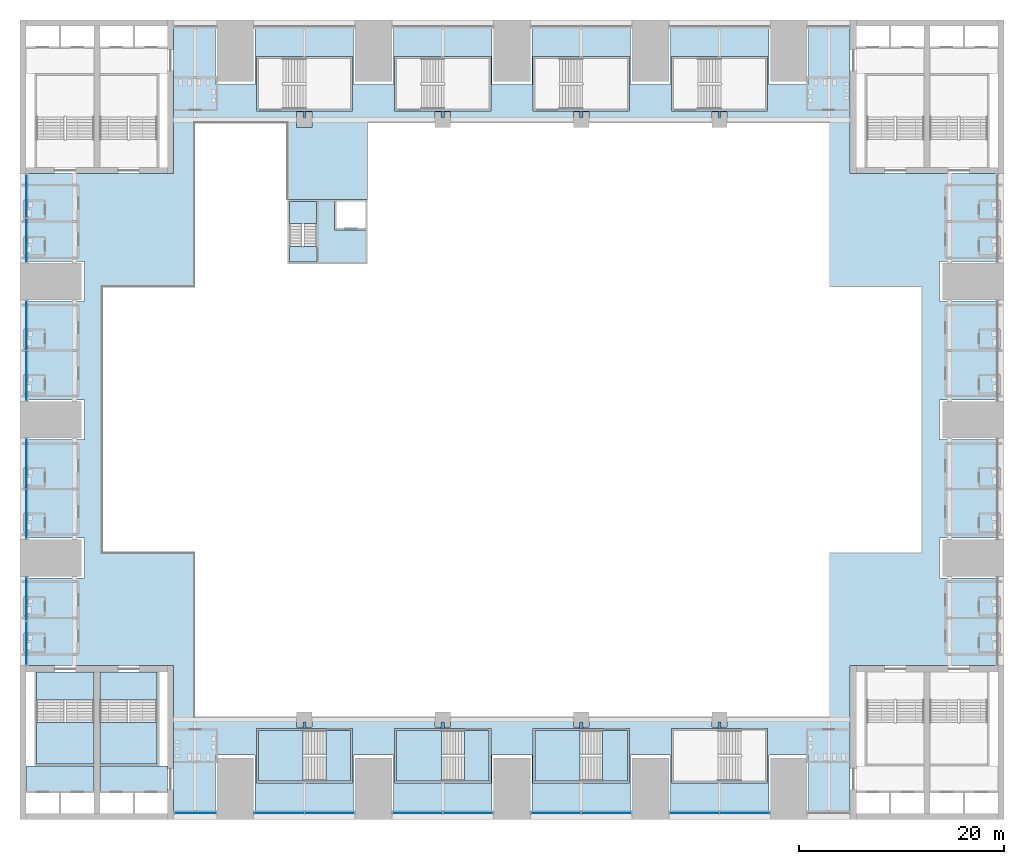
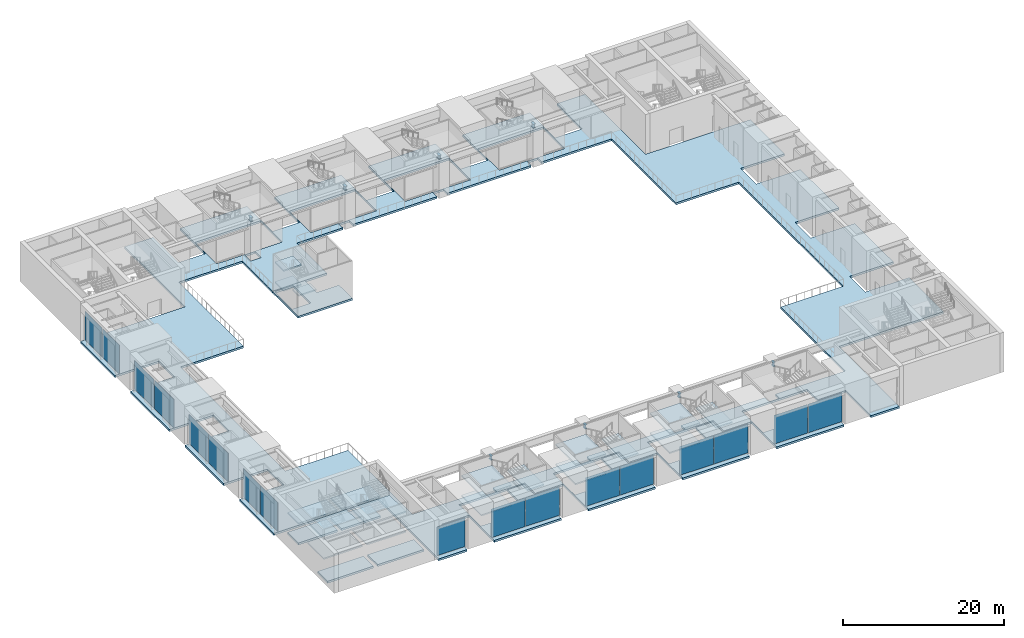
# One storey, part 10 of 43: 27 slabs, 17 plates, 8 beams, 15 elements without a shape of their own.
"""IFC4 building model written with IfcOpenShell, lengths in metres."""

from ifc_helpers import new_model, si_unit, direction, frame, origin, origin_2d, place, context, subcontext, project, spatial, polyline, rectangle, i_section, outline, extrude, material, layer, layer_set, material_profile, profile_set, type_object, element, aggregate, save


model = new_model("IFC4")

# Units and contexts
model_context = context("Model", 3, precision=1e-05, world=origin(), true_north=direction((0.0, 1.0)))
body_context = subcontext(model_context, "Body", "Model", "MODEL_VIEW")
ifc_project = project(units=[si_unit("LENGTHUNIT", "METRE"), si_unit("AREAUNIT", "SQUARE_METRE"), si_unit("VOLUMEUNIT", "CUBIC_METRE"), si_unit("PLANEANGLEUNIT", "RADIAN"), si_unit("MASSUNIT", "GRAM", prefix="KILO")], contexts=[model_context])

# Site, building, storey
site_placement = place(None, origin())
site = spatial("IfcSite", under=ifc_project, at=site_placement, CompositionType="ELEMENT")
building_placement = place(site_placement, origin())
building = spatial("IfcBuilding", under=site, at=building_placement, Name="Corbelhall Arena Tower", CompositionType="ELEMENT")
storey_placement = place(building_placement, frame((0.0, 0.0, 25.0)))
storey = spatial("IfcBuildingStorey", under=building, at=storey_placement, Name="L03", CompositionType="ELEMENT", Elevation=25.0)

# Beams
ifc_material_1 = material(Name="Steel ASTM A992 Gr50", Category="steel")
ifc_material_profile = material_profile(ifc_material_1, i_section(OverallWidth=0.323974609375, OverallDepth=0.611083984375, WebThickness=0.0126953125, FlangeThickness=0.01904296875, at=origin_2d()))
ifc_profile_set = profile_set([ifc_material_profile], Name="Steel ASTM A992 Gr50")
beam_type = type_object("IfcBeamType", Name="PO-BEAM-W24X104", PredefinedType="BEAM", material=ifc_profile_set)
for number, where, z_axis, x_axis, name in (
    (1, (-20.25, 29.5, 5.39453125), (0.0, 1.0, 0.0), (-1.0, 0.0, 0.0), "CONCOURSE BEAM"),
    (2, (-6.75, 29.5, 5.39453125), (0.0, 1.0, 0.0), (-1.0, 0.0, 0.0), "CONCOURSE BEAM"),
    (3, (6.75, 29.5, 5.39453125), (0.0, 1.0, 0.0), (-1.0, 0.0, 0.0), "CONCOURSE BEAM"),
    (4, (20.25, 29.5, 5.39453125), (0.0, 1.0, 0.0), (-1.0, 0.0, 0.0), "CONCOURSE BEAM"),
    (5, (-20.25, -29.5, 5.39453125), (0.0, -1.0, 0.0), (1.0, 0.0, 0.0), "CONCOURSE BEAM"),
    (6, (-6.75, -29.5, 5.39453125), (0.0, -1.0, 0.0), (1.0, 0.0, 0.0), "CONCOURSE BEAM"),
    (7, (6.75, -29.5, 5.39453125), (0.0, -1.0, 0.0), (1.0, 0.0, 0.0), "CONCOURSE BEAM"),
    (8, (20.25, -29.5, 5.39453125), (0.0, -1.0, 0.0), (1.0, 0.0, 0.0), "CONCOURSE BEAM"),
):
    element("IfcBeam", number, at=place(storey_placement, frame(where, z_axis=z_axis, x_axis=x_axis)), inside=storey, type_object=beam_type, Name=name, PredefinedType="BEAM", context=body_context, shape_type="SweptSolid", body=[
        extrude(i_section(OverallWidth=0.323974609375, OverallDepth=0.611083984375, WebThickness=0.0126953125, FlangeThickness=0.01904296875, at=origin_2d()), origin(), (0.0, 0.0, 1.0), 0.60009765625),
    ])

# Stair, slabs
ifc_material_2 = material(Name="Reinforced concrete C40/50", Category="concrete")
stair_type_1 = type_object("IfcStairType", Name="AR-EXIT-STAIR", PredefinedType="HALF_TURN_STAIR", material=ifc_material_2)
stair_1_placement = place(storey_placement, origin())
stair_1 = element("IfcStair", 9, at=stair_1_placement, inside=storey, type_object=stair_type_1, Name="L03 exit stair AS13", PredefinedType="HALF_TURN_STAIR")
ifc_layer_1 = layer(ifc_material_2, 0.199951171875)
ifc_layer_set_1 = layer_set([ifc_layer_1], Name="AR-EXIT-LANDING")
slab_type_1 = type_object("IfcSlabType", Name="AR-EXIT-LANDING", PredefinedType="LANDING", material=ifc_layer_set_1)
slab_1_placement = place(storey_placement, frame((0.0, 0.0, 1.300048828125)))
slab_1 = element("IfcSlab", 10, at=slab_1_placement, type_object=slab_type_1, Name="AS13 landing 1", PredefinedType="LANDING", context=body_context, shape_type="SweptSolid", body=[
    extrude(outline(polyline([(-20.389892578125, -30.300048828125), (-24.75, -30.300048828125), (-24.75, -35.25), (-20.389892578125, -35.25), (-20.389892578125, -30.300048828125)])), origin(), (0.0, 0.0, 1.0), 0.199951171875),
])
slab_2_placement = place(storey_placement, frame((0.0, 0.0, 2.800048828125)))
slab_2 = element("IfcSlab", 11, at=slab_2_placement, type_object=slab_type_1, Name="AS13 landing 2", PredefinedType="LANDING", context=body_context, shape_type="SweptSolid", body=[
    extrude(outline(polyline([(-15.75, -30.300048828125), (-18.14990234375, -30.300048828125), (-18.14990234375, -35.25), (-15.75, -35.25), (-15.75, -30.300048828125)])), origin(), (0.0, 0.0, 1.0), 0.199951171875),
])
slab_3_placement = place(storey_placement, frame((0.0, 0.0, 4.300048828125)))
slab_3 = element("IfcSlab", 12, at=slab_3_placement, type_object=slab_type_1, Name="AS13 landing 3", PredefinedType="LANDING", context=body_context, shape_type="SweptSolid", body=[
    extrude(outline(polyline([(-20.389892578125, -30.300048828125), (-24.75, -30.300048828125), (-24.75, -35.25), (-20.389892578125, -35.25), (-20.389892578125, -30.300048828125)])), origin(), (0.0, 0.0, 1.0), 0.199951171875),
])
aggregate(stair_1, [slab_1, slab_2, slab_3])

stair_2_placement = place(storey_placement, origin())
stair_2 = element("IfcStair", 13, at=stair_2_placement, inside=storey, type_object=stair_type_1, Name="L03 exit stair AS14", PredefinedType="HALF_TURN_STAIR")
slab_4_placement = place(storey_placement, frame((0.0, 0.0, 1.300048828125)))
slab_4 = element("IfcSlab", 14, at=slab_4_placement, type_object=slab_type_1, Name="AS14 landing 1", PredefinedType="LANDING", context=body_context, shape_type="SweptSolid", body=[
    extrude(outline(polyline([(-6.889892578125, -30.300048828125), (-11.25, -30.300048828125), (-11.25, -35.25), (-6.889892578125, -35.25), (-6.889892578125, -30.300048828125)])), origin(), (0.0, 0.0, 1.0), 0.199951171875),
])
slab_5_placement = place(storey_placement, frame((0.0, 0.0, 2.800048828125)))
slab_5 = element("IfcSlab", 15, at=slab_5_placement, type_object=slab_type_1, Name="AS14 landing 2", PredefinedType="LANDING", context=body_context, shape_type="SweptSolid", body=[
    extrude(outline(polyline([(-2.25, -30.300048828125), (-4.64990234375, -30.300048828125), (-4.64990234375, -35.25), (-2.25, -35.25), (-2.25, -30.300048828125)])), origin(), (0.0, 0.0, 1.0), 0.199951171875),
])
slab_6_placement = place(storey_placement, frame((0.0, 0.0, 4.300048828125)))
slab_6 = element("IfcSlab", 16, at=slab_6_placement, type_object=slab_type_1, Name="AS14 landing 3", PredefinedType="LANDING", context=body_context, shape_type="SweptSolid", body=[
    extrude(outline(polyline([(-6.889892578125, -30.300048828125), (-11.25, -30.300048828125), (-11.25, -35.25), (-6.889892578125, -35.25), (-6.889892578125, -30.300048828125)])), origin(), (0.0, 0.0, 1.0), 0.199951171875),
])
aggregate(stair_2, [slab_4, slab_5, slab_6])

stair_3_placement = place(storey_placement, origin())
stair_3 = element("IfcStair", 17, at=stair_3_placement, inside=storey, type_object=stair_type_1, Name="L03 exit stair AS15", PredefinedType="HALF_TURN_STAIR")
slab_7_placement = place(storey_placement, frame((0.0, 0.0, 1.300048828125)))
slab_7 = element("IfcSlab", 18, at=slab_7_placement, type_object=slab_type_1, Name="AS15 landing 1", PredefinedType="LANDING", context=body_context, shape_type="SweptSolid", body=[
    extrude(outline(polyline([(6.610107421875, -30.300048828125), (2.25, -30.300048828125), (2.25, -35.25), (6.610107421875, -35.25), (6.610107421875, -30.300048828125)])), origin(), (0.0, 0.0, 1.0), 0.199951171875),
])
slab_8_placement = place(storey_placement, frame((0.0, 0.0, 2.800048828125)))
slab_8 = element("IfcSlab", 19, at=slab_8_placement, type_object=slab_type_1, Name="AS15 landing 2", PredefinedType="LANDING", context=body_context, shape_type="SweptSolid", body=[
    extrude(outline(polyline([(11.25, -30.300048828125), (8.85009765625, -30.300048828125), (8.85009765625, -35.25), (11.25, -35.25), (11.25, -30.300048828125)])), origin(), (0.0, 0.0, 1.0), 0.199951171875),
])
slab_9_placement = place(storey_placement, frame((0.0, 0.0, 4.300048828125)))
slab_9 = element("IfcSlab", 20, at=slab_9_placement, type_object=slab_type_1, Name="AS15 landing 3", PredefinedType="LANDING", context=body_context, shape_type="SweptSolid", body=[
    extrude(outline(polyline([(6.610107421875, -30.300048828125), (2.25, -30.300048828125), (2.25, -35.25), (6.610107421875, -35.25), (6.610107421875, -30.300048828125)])), origin(), (0.0, 0.0, 1.0), 0.199951171875),
])
aggregate(stair_3, [slab_7, slab_8, slab_9])

stair_4_placement = place(storey_placement, origin())
stair_4 = element("IfcStair", 21, at=stair_4_placement, inside=storey, type_object=stair_type_1, Name="L03 exit stair AS7", PredefinedType="HALF_TURN_STAIR")
slab_10_placement = place(storey_placement, frame((0.0, 0.0, 1.300048828125)))
slab_10 = element("IfcSlab", 22, at=slab_10_placement, type_object=slab_type_1, Name="AS7 landing 1", PredefinedType="LANDING", context=body_context, shape_type="SweptSolid", body=[
    extrude(outline(polyline([(-40.199951171875, -29.56005859375), (-40.199951171875, -33.60009765625), (-34.610107421875, -33.60009765625), (-34.610107421875, -29.56005859375), (-40.199951171875, -29.56005859375)])), origin(), (0.0, 0.0, 1.0), 0.199951171875),
])
slab_11_placement = place(storey_placement, frame((0.0, 0.0, 2.800048828125)))
slab_11 = element("IfcSlab", 23, at=slab_11_placement, type_object=slab_type_1, Name="AS7 landing 2", PredefinedType="LANDING", context=body_context, shape_type="SweptSolid", body=[
    extrude(outline(polyline([(-40.199951171875, -24.60009765625), (-40.199951171875, -27.320068359375), (-34.610107421875, -27.320068359375), (-34.610107421875, -24.60009765625), (-40.199951171875, -24.60009765625)])), origin(), (0.0, 0.0, 1.0), 0.199951171875),
])
slab_12_placement = place(storey_placement, frame((0.0, 0.0, 4.300048828125)))
slab_12 = element("IfcSlab", 24, at=slab_12_placement, type_object=slab_type_1, Name="AS7 landing 3", PredefinedType="LANDING", context=body_context, shape_type="SweptSolid", body=[
    extrude(outline(polyline([(-40.199951171875, -29.56005859375), (-40.199951171875, -33.60009765625), (-34.610107421875, -33.60009765625), (-34.610107421875, -29.56005859375), (-40.199951171875, -29.56005859375)])), origin(), (0.0, 0.0, 1.0), 0.199951171875),
])
aggregate(stair_4, [slab_10, slab_11, slab_12])

stair_5_placement = place(storey_placement, origin())
stair_5 = element("IfcStair", 25, at=stair_5_placement, inside=storey, type_object=stair_type_1, Name="L03 exit stair AS8", PredefinedType="HALF_TURN_STAIR")
slab_13_placement = place(storey_placement, frame((0.0, 0.0, 1.300048828125)))
slab_13 = element("IfcSlab", 26, at=slab_13_placement, type_object=slab_type_1, Name="AS8 landing 1", PredefinedType="LANDING", context=body_context, shape_type="SweptSolid", body=[
    extrude(outline(polyline([(-46.389892578125, -29.56005859375), (-46.389892578125, -33.60009765625), (-40.800048828125, -33.60009765625), (-40.800048828125, -29.56005859375), (-46.389892578125, -29.56005859375)])), origin(), (0.0, 0.0, 1.0), 0.199951171875),
])
slab_14_placement = place(storey_placement, frame((0.0, 0.0, 2.800048828125)))
slab_14 = element("IfcSlab", 27, at=slab_14_placement, type_object=slab_type_1, Name="AS8 landing 2", PredefinedType="LANDING", context=body_context, shape_type="SweptSolid", body=[
    extrude(outline(polyline([(-46.389892578125, -24.60009765625), (-46.389892578125, -27.320068359375), (-40.800048828125, -27.320068359375), (-40.800048828125, -24.60009765625), (-46.389892578125, -24.60009765625)])), origin(), (0.0, 0.0, 1.0), 0.199951171875),
])
slab_15_placement = place(storey_placement, frame((0.0, 0.0, 4.300048828125)))
slab_15 = element("IfcSlab", 28, at=slab_15_placement, type_object=slab_type_1, Name="AS8 landing 3", PredefinedType="LANDING", context=body_context, shape_type="SweptSolid", body=[
    extrude(outline(polyline([(-46.389892578125, -29.56005859375), (-46.389892578125, -33.60009765625), (-40.800048828125, -33.60009765625), (-40.800048828125, -29.56005859375), (-46.389892578125, -29.56005859375)])), origin(), (0.0, 0.0, 1.0), 0.199951171875),
])
aggregate(stair_5, [slab_13, slab_14, slab_15])

# Slabs
ifc_layer_2 = layer(ifc_material_2, 0.300048828125)
ifc_layer_set_2 = layer_set([ifc_layer_2], Name="AR-STAIR-FLOOR")
slab_type_2 = type_object("IfcSlabType", Name="AR-STAIR-FLOOR", PredefinedType="FLOOR", material=ifc_layer_set_2)
slab_16_placement = place(storey_placement, frame((0.0, 0.0, -0.300048828125)))
element("IfcSlab", 29, at=slab_16_placement, inside=storey, type_object=slab_type_2, Name="Stair AS13 floor", PredefinedType="FLOOR", context=body_context, shape_type="SweptSolid", body=[
    extrude(outline(polyline([(-15.75, -30.300048828125), (-15.75, -35.25), (-18.153076171875, -35.25), (-18.153076171875, -30.300048828125), (-15.75, -30.300048828125)])), origin(), (0.0, 0.0, 1.0), 0.300048828125),
])
slab_17_placement = place(storey_placement, frame((0.0, 0.0, -0.300048828125)))
element("IfcSlab", 30, at=slab_17_placement, inside=storey, type_object=slab_type_2, Name="Stair AS14 floor", PredefinedType="FLOOR", context=body_context, shape_type="SweptSolid", body=[
    extrude(outline(polyline([(-2.25, -30.300048828125), (-2.25, -35.25), (-4.653076171875, -35.25), (-4.653076171875, -30.300048828125), (-2.25, -30.300048828125)])), origin(), (0.0, 0.0, 1.0), 0.300048828125),
])
slab_18_placement = place(storey_placement, frame((0.0, 0.0, -0.300048828125)))
element("IfcSlab", 31, at=slab_18_placement, inside=storey, type_object=slab_type_2, Name="Stair AS15 floor", PredefinedType="FLOOR", context=body_context, shape_type="SweptSolid", body=[
    extrude(outline(polyline([(11.25, -30.300048828125), (11.25, -35.25), (8.846923828125, -35.25), (8.846923828125, -30.300048828125), (11.25, -30.300048828125)])), origin(), (0.0, 0.0, 1.0), 0.300048828125),
])
slab_19_placement = place(storey_placement, frame((0.0, 0.0, -0.300048828125)))
element("IfcSlab", 32, at=slab_19_placement, inside=storey, type_object=slab_type_2, Name="Stair AS7 floor", PredefinedType="FLOOR", context=body_context, shape_type="SweptSolid", body=[
    extrude(outline(polyline([(-40.199951171875, -24.60009765625), (-34.610107421875, -24.60009765625), (-34.610107421875, -27.322998046875), (-40.199951171875, -27.322998046875), (-40.199951171875, -24.60009765625)])), origin(), (0.0, 0.0, 1.0), 0.300048828125),
])
slab_20_placement = place(storey_placement, frame((0.0, 0.0, -0.300048828125)))
element("IfcSlab", 33, at=slab_20_placement, inside=storey, type_object=slab_type_2, Name="Stair AS8 floor", PredefinedType="FLOOR", context=body_context, shape_type="SweptSolid", body=[
    extrude(outline(polyline([(-46.389892578125, -24.60009765625), (-40.800048828125, -24.60009765625), (-40.800048828125, -27.322998046875), (-46.389892578125, -27.322998046875), (-46.389892578125, -24.60009765625)])), origin(), (0.0, 0.0, 1.0), 0.300048828125),
])
slab_21_placement = place(storey_placement, frame((0.0, 0.0, -0.300048828125)))
element("IfcSlab", 34, at=slab_21_placement, inside=storey, type_object=slab_type_2, Name="Lift lobby floor SW", PredefinedType="FLOOR", context=body_context, shape_type="SweptSolid", body=[
    extrude(outline(polyline([(-40.800048828125, -36.300048828125), (-40.800048828125, -33.800048828125), (-47.39990234375, -33.800048828125), (-47.39990234375, -36.300048828125), (-40.800048828125, -36.300048828125)])), origin(), (0.0, 0.0, 1.0), 0.300048828125),
])
slab_22_placement = place(storey_placement, frame((0.0, 0.0, -0.300048828125)))
element("IfcSlab", 35, at=slab_22_placement, inside=storey, type_object=slab_type_2, Name="Lift lobby floor SW", PredefinedType="FLOOR", context=body_context, shape_type="SweptSolid", body=[
    extrude(outline(polyline([(-33.60009765625, -36.300048828125), (-33.60009765625, -33.800048828125), (-40.199951171875, -33.800048828125), (-40.199951171875, -36.300048828125), (-33.60009765625, -36.300048828125)])), origin(), (0.0, 0.0, 1.0), 0.300048828125),
])

# Curtain wall, plate
ifc_material_3 = material(Name="Aluminium black anodised", Category="aluminium")
ifc_layer_3 = layer(ifc_material_3, 0.239990234375)
ifc_layer_set_3 = layer_set([ifc_layer_3], Name="EV-CW4 Arena concourse glazing")
curtain_wall_type = type_object("IfcCurtainWallType", Name="EV-CW4 Arena concourse glazing", PredefinedType="NOTDEFINED", material=ifc_layer_set_3)
curtain_wall_1_placement = place(storey_placement, origin())
curtain_wall_1 = element("IfcCurtainWall", 36, at=curtain_wall_1_placement, inside=storey, type_object=curtain_wall_type, Name="Curtain wall CW4A", PredefinedType="NOTDEFINED")
ifc_material_4 = material(Name="Glass dark tinted laminated", Category="glass")
ifc_layer_4 = layer(ifc_material_4, 0.028076171875)
ifc_layer_set_4 = layer_set([ifc_layer_4], Name="EV-CW4-PANEL")
plate_type = type_object("IfcPlateType", Name="EV-CW4-PANEL", PredefinedType="CURTAIN_PANEL", material=ifc_layer_set_4)
plate_1_placement = place(storey_placement, frame((-30.89990234375, -38.3798828125, 0.074951171875), z_axis=(0.0, 0.0, 1.0), x_axis=(1.0, 0.0, 0.0)))
plate_1 = element("IfcPlate", 37, at=plate_1_placement, type_object=plate_type, Name="CW4A panel 1.1", PredefinedType="CURTAIN_PANEL", context=body_context, shape_type="SweptSolid", body=[
    extrude(rectangle(XDim=4.050048828125, YDim=0.028076171875, at=origin_2d()), origin(), (0.0, 0.0, 1.0), 4.35009765625),
])
aggregate(curtain_wall_1, [plate_1])

# Curtain wall, plates
curtain_wall_2_placement = place(storey_placement, origin())
curtain_wall_2 = element("IfcCurtainWall", 38, at=curtain_wall_2_placement, inside=storey, type_object=curtain_wall_type, Name="Curtain wall CW4", PredefinedType="NOTDEFINED")
plate_2_placement = place(storey_placement, frame((-22.706298828125, -38.3798828125, 0.074951171875), z_axis=(0.0, 0.0, 1.0), x_axis=(1.0, 0.0, 0.0)))
plate_2 = element("IfcPlate", 39, at=plate_2_placement, type_object=plate_type, Name="CW4 panel 1.1", PredefinedType="CURTAIN_PANEL", context=body_context, shape_type="SweptSolid", body=[
    extrude(rectangle(XDim=4.83740234375, YDim=0.028076171875, at=origin_2d()), origin(), (0.0, 0.0, 1.0), 4.35009765625),
])
plate_3_placement = place(storey_placement, frame((-17.793701171875, -38.3798828125, 0.074951171875), z_axis=(0.0, 0.0, 1.0), x_axis=(1.0, 0.0, 0.0)))
plate_3 = element("IfcPlate", 40, at=plate_3_placement, type_object=plate_type, Name="CW4 panel 2.1", PredefinedType="CURTAIN_PANEL", context=body_context, shape_type="SweptSolid", body=[
    extrude(rectangle(XDim=4.83740234375, YDim=0.028076171875, at=origin_2d()), origin(), (0.0, 0.0, 1.0), 4.35009765625),
])
aggregate(curtain_wall_2, [plate_2, plate_3])

curtain_wall_3_placement = place(storey_placement, origin())
curtain_wall_3 = element("IfcCurtainWall", 41, at=curtain_wall_3_placement, inside=storey, type_object=curtain_wall_type, Name="Curtain wall CW4", PredefinedType="NOTDEFINED")
plate_4_placement = place(storey_placement, frame((-9.206298828125, -38.3798828125, 0.074951171875), z_axis=(0.0, 0.0, 1.0), x_axis=(1.0, 0.0, 0.0)))
plate_4 = element("IfcPlate", 42, at=plate_4_placement, type_object=plate_type, Name="CW4 panel 1.1", PredefinedType="CURTAIN_PANEL", context=body_context, shape_type="SweptSolid", body=[
    extrude(rectangle(XDim=4.83740234375, YDim=0.028076171875, at=origin_2d()), origin(), (0.0, 0.0, 1.0), 4.35009765625),
])
plate_5_placement = place(storey_placement, frame((-4.293701171875, -38.3798828125, 0.074951171875), z_axis=(0.0, 0.0, 1.0), x_axis=(1.0, 0.0, 0.0)))
plate_5 = element("IfcPlate", 43, at=plate_5_placement, type_object=plate_type, Name="CW4 panel 2.1", PredefinedType="CURTAIN_PANEL", context=body_context, shape_type="SweptSolid", body=[
    extrude(rectangle(XDim=4.83740234375, YDim=0.028076171875, at=origin_2d()), origin(), (0.0, 0.0, 1.0), 4.35009765625),
])
aggregate(curtain_wall_3, [plate_4, plate_5])

curtain_wall_4_placement = place(storey_placement, origin())
curtain_wall_4 = element("IfcCurtainWall", 44, at=curtain_wall_4_placement, inside=storey, type_object=curtain_wall_type, Name="Curtain wall CW4", PredefinedType="NOTDEFINED")
plate_6_placement = place(storey_placement, frame((4.293701171875, -38.3798828125, 0.074951171875), z_axis=(0.0, 0.0, 1.0), x_axis=(1.0, 0.0, 0.0)))
plate_6 = element("IfcPlate", 45, at=plate_6_placement, type_object=plate_type, Name="CW4 panel 1.1", PredefinedType="CURTAIN_PANEL", context=body_context, shape_type="SweptSolid", body=[
    extrude(rectangle(XDim=4.83740234375, YDim=0.028076171875, at=origin_2d()), origin(), (0.0, 0.0, 1.0), 4.35009765625),
])
plate_7_placement = place(storey_placement, frame((9.206298828125, -38.3798828125, 0.074951171875), z_axis=(0.0, 0.0, 1.0), x_axis=(1.0, 0.0, 0.0)))
plate_7 = element("IfcPlate", 46, at=plate_7_placement, type_object=plate_type, Name="CW4 panel 2.1", PredefinedType="CURTAIN_PANEL", context=body_context, shape_type="SweptSolid", body=[
    extrude(rectangle(XDim=4.83740234375, YDim=0.028076171875, at=origin_2d()), origin(), (0.0, 0.0, 1.0), 4.35009765625),
])
aggregate(curtain_wall_4, [plate_6, plate_7])

curtain_wall_5_placement = place(storey_placement, origin())
curtain_wall_5 = element("IfcCurtainWall", 47, at=curtain_wall_5_placement, inside=storey, type_object=curtain_wall_type, Name="Curtain wall CW4", PredefinedType="NOTDEFINED")
plate_8_placement = place(storey_placement, frame((17.793701171875, -38.3798828125, 0.074951171875), z_axis=(0.0, 0.0, 1.0), x_axis=(1.0, 0.0, 0.0)))
plate_8 = element("IfcPlate", 48, at=plate_8_placement, type_object=plate_type, Name="CW4 panel 1.1", PredefinedType="CURTAIN_PANEL", context=body_context, shape_type="SweptSolid", body=[
    extrude(rectangle(XDim=4.83740234375, YDim=0.028076171875, at=origin_2d()), origin(), (0.0, 0.0, 1.0), 4.35009765625),
])
plate_9_placement = place(storey_placement, frame((22.706298828125, -38.3798828125, 0.074951171875), z_axis=(0.0, 0.0, 1.0), x_axis=(1.0, 0.0, 0.0)))
plate_9 = element("IfcPlate", 49, at=plate_9_placement, type_object=plate_type, Name="CW4 panel 2.1", PredefinedType="CURTAIN_PANEL", context=body_context, shape_type="SweptSolid", body=[
    extrude(rectangle(XDim=4.83740234375, YDim=0.028076171875, at=origin_2d()), origin(), (0.0, 0.0, 1.0), 4.35009765625),
])
aggregate(curtain_wall_5, [plate_8, plate_9])

curtain_wall_6_placement = place(storey_placement, origin())
curtain_wall_6 = element("IfcCurtainWall", 50, at=curtain_wall_6_placement, inside=storey, type_object=curtain_wall_type, Name="Curtain wall CW4B", PredefinedType="NOTDEFINED")
plate_10_placement = place(storey_placement, frame((-47.3798828125, 21.80615234375, 0.074951171875), z_axis=(0.0, 0.0, 1.0), x_axis=(0.0, -1.0, 0.0)))
plate_10 = element("IfcPlate", 51, at=plate_10_placement, type_object=plate_type, Name="CW4B panel 1.1", PredefinedType="CURTAIN_PANEL", context=body_context, shape_type="SweptSolid", body=[
    extrude(rectangle(XDim=4.237548828125, YDim=0.028076171875, at=origin_2d()), origin(), (0.0, 0.0, 1.0), 4.35009765625),
])
plate_11_placement = place(storey_placement, frame((-47.3798828125, 17.49365234375, 0.074951171875), z_axis=(0.0, 0.0, 1.0), x_axis=(0.0, -1.0, 0.0)))
plate_11 = element("IfcPlate", 52, at=plate_11_placement, type_object=plate_type, Name="CW4B panel 2.1", PredefinedType="CURTAIN_PANEL", context=body_context, shape_type="SweptSolid", body=[
    extrude(rectangle(XDim=4.237548828125, YDim=0.028076171875, at=origin_2d()), origin(), (0.0, 0.0, 1.0), 4.35009765625),
])
aggregate(curtain_wall_6, [plate_10, plate_11])

curtain_wall_7_placement = place(storey_placement, origin())
curtain_wall_7 = element("IfcCurtainWall", 53, at=curtain_wall_7_placement, inside=storey, type_object=curtain_wall_type, Name="Curtain wall CW4", PredefinedType="NOTDEFINED")
plate_12_placement = place(storey_placement, frame((-47.3798828125, 9.206298828125, 0.074951171875), z_axis=(0.0, 0.0, 1.0), x_axis=(0.0, -1.0, 0.0)))
plate_12 = element("IfcPlate", 54, at=plate_12_placement, type_object=plate_type, Name="CW4 panel 1.1", PredefinedType="CURTAIN_PANEL", context=body_context, shape_type="SweptSolid", body=[
    extrude(rectangle(XDim=4.83740234375, YDim=0.028076171875, at=origin_2d()), origin(), (0.0, 0.0, 1.0), 4.35009765625),
])
plate_13_placement = place(storey_placement, frame((-47.3798828125, 4.293701171875, 0.074951171875), z_axis=(0.0, 0.0, 1.0), x_axis=(0.0, -1.0, 0.0)))
plate_13 = element("IfcPlate", 55, at=plate_13_placement, type_object=plate_type, Name="CW4 panel 2.1", PredefinedType="CURTAIN_PANEL", context=body_context, shape_type="SweptSolid", body=[
    extrude(rectangle(XDim=4.83740234375, YDim=0.028076171875, at=origin_2d()), origin(), (0.0, 0.0, 1.0), 4.35009765625),
])
aggregate(curtain_wall_7, [plate_12, plate_13])

curtain_wall_8_placement = place(storey_placement, origin())
curtain_wall_8 = element("IfcCurtainWall", 56, at=curtain_wall_8_placement, inside=storey, type_object=curtain_wall_type, Name="Curtain wall CW4", PredefinedType="NOTDEFINED")
plate_14_placement = place(storey_placement, frame((-47.3798828125, -4.293701171875, 0.074951171875), z_axis=(0.0, 0.0, 1.0), x_axis=(0.0, -1.0, 0.0)))
plate_14 = element("IfcPlate", 57, at=plate_14_placement, type_object=plate_type, Name="CW4 panel 1.1", PredefinedType="CURTAIN_PANEL", context=body_context, shape_type="SweptSolid", body=[
    extrude(rectangle(XDim=4.83740234375, YDim=0.028076171875, at=origin_2d()), origin(), (0.0, 0.0, 1.0), 4.35009765625),
])
plate_15_placement = place(storey_placement, frame((-47.3798828125, -9.206298828125, 0.074951171875), z_axis=(0.0, 0.0, 1.0), x_axis=(0.0, -1.0, 0.0)))
plate_15 = element("IfcPlate", 58, at=plate_15_placement, type_object=plate_type, Name="CW4 panel 2.1", PredefinedType="CURTAIN_PANEL", context=body_context, shape_type="SweptSolid", body=[
    extrude(rectangle(XDim=4.83740234375, YDim=0.028076171875, at=origin_2d()), origin(), (0.0, 0.0, 1.0), 4.35009765625),
])
aggregate(curtain_wall_8, [plate_14, plate_15])

curtain_wall_9_placement = place(storey_placement, origin())
curtain_wall_9 = element("IfcCurtainWall", 59, at=curtain_wall_9_placement, inside=storey, type_object=curtain_wall_type, Name="Curtain wall CW4B", PredefinedType="NOTDEFINED")
plate_16_placement = place(storey_placement, frame((-47.3798828125, -17.49365234375, 0.074951171875), z_axis=(0.0, 0.0, 1.0), x_axis=(0.0, -1.0, 0.0)))
plate_16 = element("IfcPlate", 60, at=plate_16_placement, type_object=plate_type, Name="CW4B panel 1.1", PredefinedType="CURTAIN_PANEL", context=body_context, shape_type="SweptSolid", body=[
    extrude(rectangle(XDim=4.237548828125, YDim=0.028076171875, at=origin_2d()), origin(), (0.0, 0.0, 1.0), 4.35009765625),
])
plate_17_placement = place(storey_placement, frame((-47.3798828125, -21.80615234375, 0.074951171875), z_axis=(0.0, 0.0, 1.0), x_axis=(0.0, -1.0, 0.0)))
plate_17 = element("IfcPlate", 61, at=plate_17_placement, type_object=plate_type, Name="CW4B panel 2.1", PredefinedType="CURTAIN_PANEL", context=body_context, shape_type="SweptSolid", body=[
    extrude(rectangle(XDim=4.237548828125, YDim=0.028076171875, at=origin_2d()), origin(), (0.0, 0.0, 1.0), 4.35009765625),
])
aggregate(curtain_wall_9, [plate_16, plate_17])

# Slab
ifc_material_5 = material(Name="Concrete C40/50", Category="concrete")
ifc_layer_5 = layer(ifc_material_5, 0.300048828125)
ifc_layer_set_5 = layer_set([ifc_layer_5], Name="IN-SL-EAR")
slab_type_3 = type_object("IfcSlabType", Name="IN-SL-EAR", PredefinedType="FLOOR", material=ifc_layer_set_5)
slab_23_placement = place(storey_placement, frame((0.0, 0.0, -0.300048828125)))
element("IfcSlab", 62, at=slab_23_placement, inside=storey, type_object=slab_type_3, Name="Fire service turret floor", PredefinedType="FLOOR", context=body_context, shape_type="SweptSolid", body=[
    extrude(outline(polyline([(-21.89990234375, 15.199951171875), (-14.10009765625, 15.199951171875), (-14.10009765625, 18.5), (-17.300048828125, 18.5), (-17.300048828125, 21.5), (-21.89990234375, 21.5), (-21.89990234375, 15.199951171875)]), holes=[polyline([(-19.094970703125, 21.300048828125), (-21.695068359375, 21.300048828125), (-21.695068359375, 16.903076171875), (-19.094970703125, 16.903076171875), (-19.094970703125, 21.300048828125)])]), origin(), (0.0, 0.0, 1.0), 0.300048828125),
])

# Stair, slabs
stair_type_2 = type_object("IfcStairType", Name="IN-ST-TOWER", PredefinedType="HALF_TURN_STAIR", material=ifc_material_5)
stair_6_placement = place(storey_placement, origin())
stair_6 = element("IfcStair", 63, at=stair_6_placement, inside=storey, type_object=stair_type_2, Name="L03 Exit stair AS17", PredefinedType="HALF_TURN_STAIR")
ifc_layer_6 = layer(ifc_material_5, 0.199951171875)
ifc_layer_set_6 = layer_set([ifc_layer_6], Name="IN-SL-LANDING")
slab_type_4 = type_object("IfcSlabType", Name="IN-SL-LANDING", PredefinedType="LANDING", material=ifc_layer_set_6)
slab_24_placement = place(storey_placement, frame((0.0, 0.0, 1.300048828125)))
slab_24 = element("IfcSlab", 64, at=slab_24_placement, type_object=slab_type_4, Name="AS17 landing 1", PredefinedType="LANDING", context=body_context, shape_type="SweptSolid", body=[
    extrude(outline(polyline([(-19.094970703125, 19.139892578125), (-19.094970703125, 21.300048828125), (-21.695068359375, 21.300048828125), (-21.695068359375, 19.139892578125), (-19.094970703125, 19.139892578125)])), origin(), (0.0, 0.0, 1.0), 0.199951171875),
])
slab_25_placement = place(storey_placement, frame((0.0, 0.0, 2.800048828125)))
slab_25 = element("IfcSlab", 65, at=slab_25_placement, type_object=slab_type_4, Name="AS17 landing 2", PredefinedType="LANDING", context=body_context, shape_type="SweptSolid", body=[
    extrude(outline(polyline([(-19.094970703125, 15.39990234375), (-19.094970703125, 16.89990234375), (-21.695068359375, 16.89990234375), (-21.695068359375, 15.39990234375), (-19.094970703125, 15.39990234375)])), origin(), (0.0, 0.0, 1.0), 0.199951171875),
])
slab_26_placement = place(storey_placement, frame((0.0, 0.0, 4.300048828125)))
slab_26 = element("IfcSlab", 66, at=slab_26_placement, type_object=slab_type_4, Name="AS17 landing 3", PredefinedType="LANDING", context=body_context, shape_type="SweptSolid", body=[
    extrude(outline(polyline([(-19.094970703125, 19.139892578125), (-19.094970703125, 21.300048828125), (-21.695068359375, 21.300048828125), (-21.695068359375, 19.139892578125), (-19.094970703125, 19.139892578125)])), origin(), (0.0, 0.0, 1.0), 0.199951171875),
])
aggregate(stair_6, [slab_24, slab_25, slab_26])

# Slab
ifc_material_6 = material(Name="Concrete C32/40", Category="concrete")
ifc_layer_7 = layer(ifc_material_6, 0.300048828125)
ifc_layer_set_7 = layer_set([ifc_layer_7], Name="PO-FLOOR-SLAB")
slab_type_5 = type_object("IfcSlabType", Name="PO-FLOOR-SLAB", PredefinedType="FLOOR", material=ifc_layer_set_7)
slab_27_placement = place(storey_placement, frame((0.0, 0.0, -0.300048828125)))
element("IfcSlab", 67, at=slab_27_placement, inside=storey, type_object=slab_type_5, Name="FLOOR SLAB L03 1", PredefinedType="FLOOR", context=body_context, shape_type="SweptSolid", body=[
    extrude(outline(polyline([(48.0, -24.0), (33.0, -24.0), (33.0, -39.0), (28.949951171875, -39.0), (28.949951171875, -32.699951171875), (25.050048828125, -32.699951171875), (25.050048828125, -39.0), (15.449951171875, -39.0), (15.449951171875, -32.699951171875), (11.550048828125, -32.699951171875), (11.550048828125, -39.0), (1.949951171875, -39.0), (1.949951171875, -32.699951171875), (-1.949951171875, -32.699951171875), (-1.949951171875, -39.0), (-11.550048828125, -39.0), (-11.550048828125, -32.699951171875), (-15.449951171875, -32.699951171875), (-15.449951171875, -39.0), (-25.050048828125, -39.0), (-25.050048828125, -32.699951171875), (-28.949951171875, -32.699951171875), (-28.949951171875, -39.0), (-33.0, -39.0), (-33.0, -24.0), (-48.0, -24.0), (-48.0, -15.449951171875), (-41.699951171875, -15.449951171875), (-41.699951171875, -11.550048828125), (-48.0, -11.550048828125), (-48.0, -1.949951171875), (-41.699951171875, -1.949951171875), (-41.699951171875, 1.949951171875), (-48.0, 1.949951171875), (-48.0, 11.550048828125), (-41.699951171875, 11.550048828125), (-41.699951171875, 15.449951171875), (-48.0, 15.449951171875), (-48.0, 24.0), (-33.0, 24.0), (-33.0, 39.0), (-28.949951171875, 39.0), (-28.949951171875, 32.699951171875), (-25.050048828125, 32.699951171875), (-25.050048828125, 39.0), (-15.449951171875, 39.0), (-15.449951171875, 32.699951171875), (-11.550048828125, 32.699951171875), (-11.550048828125, 39.0), (-1.949951171875, 39.0), (-1.949951171875, 32.699951171875), (1.949951171875, 32.699951171875), (1.949951171875, 39.0), (11.550048828125, 39.0), (11.550048828125, 32.699951171875), (15.449951171875, 32.699951171875), (15.449951171875, 39.0), (25.050048828125, 39.0), (25.050048828125, 32.699951171875), (28.949951171875, 32.699951171875), (28.949951171875, 39.0), (33.0, 39.0), (33.0, 24.0), (48.0, 24.0), (48.0, 15.449951171875), (41.699951171875, 15.449951171875), (41.699951171875, 11.550048828125), (48.0, 11.550048828125), (48.0, 1.949951171875), (41.699951171875, 1.949951171875), (41.699951171875, -1.949951171875), (48.0, -1.949951171875), (48.0, -11.550048828125), (41.699951171875, -11.550048828125), (41.699951171875, -15.449951171875), (48.0, -15.449951171875), (48.0, -24.0)]), holes=[polyline([(-24.949951171875, -35.449951171875), (-15.550048828125, -35.449951171875), (-15.550048828125, -30.10009765625), (-24.949951171875, -30.10009765625), (-24.949951171875, -35.449951171875)]), polyline([(-11.449951171875, -35.449951171875), (-2.050048828125, -35.449951171875), (-2.050048828125, -30.10009765625), (-11.449951171875, -30.10009765625), (-11.449951171875, -35.449951171875)]), polyline([(-19.5, -30.0), (-19.5, -29.0), (-7.5, -29.0), (-7.5, -30.0), (-6.0, -30.0), (-6.0, -29.0), (6.0, -29.0), (6.0, -30.0), (7.5, -30.0), (7.5, -29.0), (19.5, -29.0), (19.5, -30.0), (21.0, -30.0), (21.0, -29.0), (31.0, -29.0), (31.0, -13.0), (40.0, -13.0), (40.0, 13.0), (31.0, 13.0), (31.0, 29.0), (21.0, 29.0), (21.0, 30.0), (19.5, 30.0), (19.5, 29.0), (7.5, 29.0), (7.5, 30.0), (6.0, 30.0), (6.0, 29.0), (-6.0, 29.0), (-6.0, 30.0), (-7.5, 30.0), (-7.5, 29.0), (-14.10009765625, 29.0), (-14.10009765625, 21.5), (-21.89990234375, 21.5), (-21.89990234375, 29.0), (-31.0, 29.0), (-31.0, 13.0), (-40.0, 13.0), (-40.0, -13.0), (-31.0, -13.0), (-31.0, -29.0), (-21.0, -29.0), (-21.0, -30.0), (-19.5, -30.0)]), polyline([(-19.5, 28.5), (-19.5, 30.0), (-21.0, 30.0), (-21.0, 28.5), (-19.5, 28.5)]), polyline([(-24.949951171875, 30.10009765625), (-15.550048828125, 30.10009765625), (-15.550048828125, 35.449951171875), (-24.949951171875, 35.449951171875), (-24.949951171875, 30.10009765625)]), polyline([(-11.449951171875, 30.10009765625), (-2.050048828125, 30.10009765625), (-2.050048828125, 35.449951171875), (-11.449951171875, 35.449951171875), (-11.449951171875, 30.10009765625)]), polyline([(2.050048828125, -35.449951171875), (11.449951171875, -35.449951171875), (11.449951171875, -30.10009765625), (2.050048828125, -30.10009765625), (2.050048828125, -35.449951171875)]), polyline([(15.550048828125, -35.449951171875), (24.949951171875, -35.449951171875), (24.949951171875, -30.10009765625), (15.550048828125, -30.10009765625), (15.550048828125, -35.449951171875)]), polyline([(15.550048828125, 30.10009765625), (24.949951171875, 30.10009765625), (24.949951171875, 35.449951171875), (15.550048828125, 35.449951171875), (15.550048828125, 30.10009765625)]), polyline([(2.050048828125, 30.10009765625), (11.449951171875, 30.10009765625), (11.449951171875, 35.449951171875), (2.050048828125, 35.449951171875), (2.050048828125, 30.10009765625)])]), origin(), (0.0, 0.0, 1.0), 0.300048828125),
])

save(model, "model.ifc")
